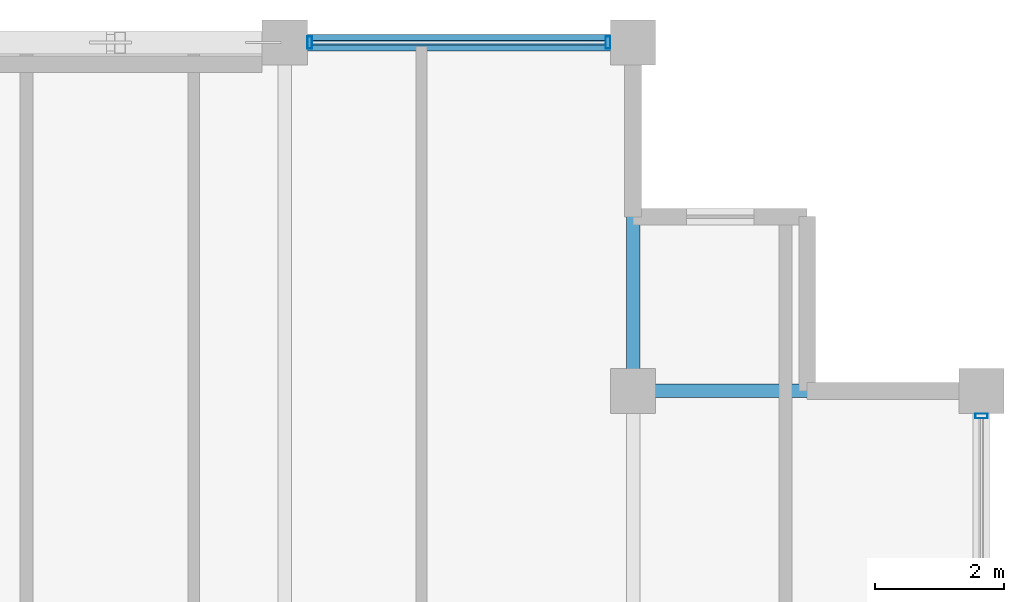
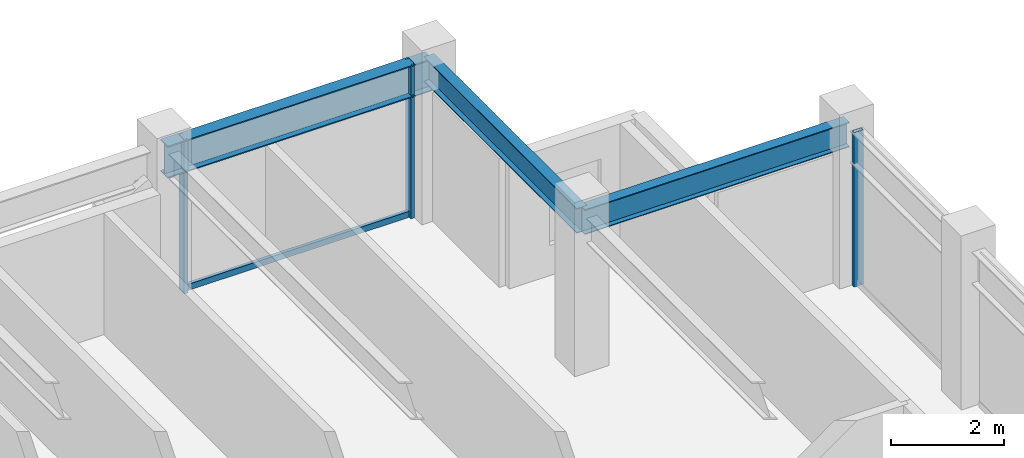
# One storey, part 22 of 31: 4 members, 3 beams, 2 elements without a shape of their own.
"""IFC4 building model written with IfcOpenShell, lengths in metres."""

from ifc_helpers import new_model, si_unit, direction, frame, origin, origin_2d, place, context, subcontext, project, spatial, hollow_rectangle, i_section, extrude, material, layer, layer_set, material_profile, profile_set, type_object, element, aggregate, save


model = new_model("IFC4")

# Units and contexts
model_context = context("Model", 3, precision=1e-05, world=origin(), true_north=direction((0.0, 1.0)))
body_context = subcontext(model_context, "Body", "Model", "MODEL_VIEW")
ifc_project = project(units=[si_unit("LENGTHUNIT", "METRE"), si_unit("AREAUNIT", "SQUARE_METRE"), si_unit("VOLUMEUNIT", "CUBIC_METRE"), si_unit("PLANEANGLEUNIT", "RADIAN"), si_unit("MASSUNIT", "GRAM", prefix="KILO")], contexts=[model_context])

# Site, building, storey
site_placement = place(None, origin())
site = spatial("IfcSite", under=ifc_project, at=site_placement, CompositionType="ELEMENT")
building_placement = place(site_placement, origin())
building = spatial("IfcBuilding", under=site, at=building_placement, Name="Surkhivell Harbour Commons", CompositionType="ELEMENT")
storey_placement = place(building_placement, frame((0.0, 0.0, 333.75)))
storey = spatial("IfcBuildingStorey", under=building, at=storey_placement, Name="L87", CompositionType="ELEMENT", Elevation=333.75)

# Beams
ifc_material_1 = material(Name="Steel S355", Category="steel")
ifc_material_profile_1 = material_profile(ifc_material_1, i_section(OverallWidth=0.2099609375, OverallDepth=0.537109375, WebThickness=0.0107421875, FlangeThickness=0.017333984375, at=origin_2d()), Name="UB533x210x101")
ifc_profile_set_1 = profile_set([ifc_material_profile_1], Name="Steel S355")
beam_type_1 = type_object("IfcBeamType", Name="BM-GRD-533B", PredefinedType="BEAM", material=ifc_profile_set_1)
for number, where, z_axis, x_axis, name in (
    (1, (10.800048828125, 20.5, 3.0615234375), (0.0, 1.0, 0.0), (-1.0, 0.0, 0.0), "L87 Floor Girder (10.8,20.5)"),
    (2, (10.800048828125, 20.5, 3.0615234375), (1.0, 0.0, 0.0), (0.0, 1.0, 0.0), "L87 Floor Girder (10.8,20.5)"),
):
    element("IfcBeam", number, at=place(storey_placement, frame(where, z_axis=z_axis, x_axis=x_axis)), inside=storey, type_object=beam_type_1, Name=name, PredefinedType="BEAM", context=body_context, shape_type="SweptSolid", body=[
        extrude(i_section(OverallWidth=0.2099609375, OverallDepth=0.537109375, WebThickness=0.0107421875, FlangeThickness=0.017333984375, at=origin_2d()), origin(), (0.0, 0.0, 1.0), 5.39990234375),
    ])
ifc_material_profile_2 = material_profile(ifc_material_1, i_section(OverallWidth=0.256103515625, OverallDepth=0.693115234375, WebThickness=0.014404296875, FlangeThickness=0.023681640625, at=origin_2d()), Name="UB686x254x170")
ifc_profile_set_2 = profile_set([ifc_material_profile_2], Name="Steel S355")
beam_type_2 = type_object("IfcBeamType", Name="BM-SPN-686", PredefinedType="SPANDREL", material=ifc_profile_set_2)
beam_placement = place(storey_placement, frame((5.39990234375, 25.89990234375, 2.9833984375), z_axis=(1.0, 0.0, 0.0), x_axis=(0.0, 1.0, 0.0)))
element("IfcBeam", 3, at=beam_placement, inside=storey, type_object=beam_type_2, Name="L87 Tube Spandrel (5.4,25.9)", PredefinedType="SPANDREL", context=body_context, shape_type="SweptSolid", body=[
    extrude(i_section(OverallWidth=0.256103515625, OverallDepth=0.693115234375, WebThickness=0.014404296875, FlangeThickness=0.023681640625, at=origin_2d()), origin(), (0.0, 0.0, 1.0), 5.400146484375),
])

# Curtain wall, member
ifc_material_2 = material(Name="Anodised pale-metal aluminium and insulated glazing", Category="aluminium")
ifc_layer = layer(ifc_material_2, 0.175048828125)
ifc_layer_set = layer_set([ifc_layer], Name="Anodised pale-metal aluminium and insulated glazing")
curtain_wall_type = type_object("IfcCurtainWallType", Name="CW-SYS-Z4", PredefinedType="NOTDEFINED", material=ifc_layer_set)
curtain_wall_1_placement = place(storey_placement, origin())
curtain_wall_1 = element("IfcCurtainWall", 4, at=curtain_wall_1_placement, inside=storey, type_object=curtain_wall_type, Name="L87 Curtain Wall CW-L87-E02", PredefinedType="NOTDEFINED")
ifc_material_3 = material(Name="Anodised pale-metal aluminium alloy 6063-T6", Category="aluminium")
ifc_material_profile_3 = material_profile(ifc_material_3, hollow_rectangle(XDim=0.074951171875, YDim=0.18994140625, WallThickness=0.00390625, at=origin_2d()), Name="ALU-MULL-75x190")
ifc_profile_set_3 = profile_set([ifc_material_profile_3], Name="Anodised pale-metal aluminium alloy 6063-T6")
member_type_1 = type_object("IfcMemberType", Name="CWM-190", PredefinedType="MULLION", material=ifc_profile_set_3)
member_1_placement = place(storey_placement, frame((16.199951171875, 20.110595703125, 0.0), z_axis=(0.0, 0.0, 1.0), x_axis=(0.0, 1.0, 0.0)))
member_1 = element("IfcMember", 5, at=member_1_placement, type_object=member_type_1, Name="CW-Z4 mullion 6", PredefinedType="MULLION", context=body_context, shape_type="SweptSolid", body=[
    extrude(hollow_rectangle(XDim=0.074951171875, YDim=0.18994140625, WallThickness=0.00390625, at=origin_2d()), origin(), (0.0, 0.0, 1.0), 3.330078125),
])
aggregate(curtain_wall_1, [member_1])

# Curtain wall, members
curtain_wall_2_placement = place(storey_placement, origin())
curtain_wall_2 = element("IfcCurtainWall", 6, at=curtain_wall_2_placement, inside=storey, type_object=curtain_wall_type, Name="L87 Curtain Wall CW-L87-E07S1", PredefinedType="NOTDEFINED")
member_2_placement = place(storey_placement, frame((10.410400390625, 25.89990234375, 0.0), z_axis=(0.0, 0.0, 1.0), x_axis=(-1.0, 0.0, 0.0)))
member_2 = element("IfcMember", 7, at=member_2_placement, type_object=member_type_1, Name="CW-Z4 mullion 1", PredefinedType="MULLION", context=body_context, shape_type="SweptSolid", body=[
    extrude(hollow_rectangle(XDim=0.074951171875, YDim=0.18994140625, WallThickness=0.00390625, at=origin_2d()), origin(), (0.0, 0.0, 1.0), 3.330078125),
])
member_3_placement = place(storey_placement, frame((5.78955078125, 25.89990234375, 0.0), z_axis=(0.0, 0.0, 1.0), x_axis=(-1.0, 0.0, 0.0)))
member_3 = element("IfcMember", 8, at=member_3_placement, type_object=member_type_1, Name="CW-Z4 mullion 2", PredefinedType="MULLION", context=body_context, shape_type="SweptSolid", body=[
    extrude(hollow_rectangle(XDim=0.074951171875, YDim=0.18994140625, WallThickness=0.00390625, at=origin_2d()), origin(), (0.0, 0.0, 1.0), 3.330078125),
])
ifc_material_4 = material(Name="Champagne anodised aluminium alloy 6063-T6", Category="aluminium")
ifc_material_profile_4 = material_profile(ifc_material_4, hollow_rectangle(XDim=0.070068359375, YDim=0.1298828125, WallThickness=0.00341796875, at=origin_2d()), Name="ALU-TRAN-70x130")
ifc_profile_set_4 = profile_set([ifc_material_profile_4], Name="Champagne anodised aluminium alloy 6063-T6")
member_type_2 = type_object("IfcMemberType", Name="CWT-130", PredefinedType="USERDEFINED", material=ifc_profile_set_4)
member_4_placement = place(storey_placement, frame((10.373046875, 25.89990234375, 0.06494140625), z_axis=(-1.0, 0.0, 0.0), x_axis=(0.0, -1.0, 0.0)))
member_4 = element("IfcMember", 9, at=member_4_placement, type_object=member_type_2, Name="CW-Z4 transom 1.1", ObjectType="TRANSOM", PredefinedType="USERDEFINED", context=body_context, shape_type="SweptSolid", body=[
    extrude(hollow_rectangle(XDim=0.070068359375, YDim=0.1298828125, WallThickness=0.00341796875, at=origin_2d()), origin(), (0.0, 0.0, 1.0), 4.546142578125),
])
aggregate(curtain_wall_2, [member_2, member_3, member_4])

save(model, "model.ifc")
